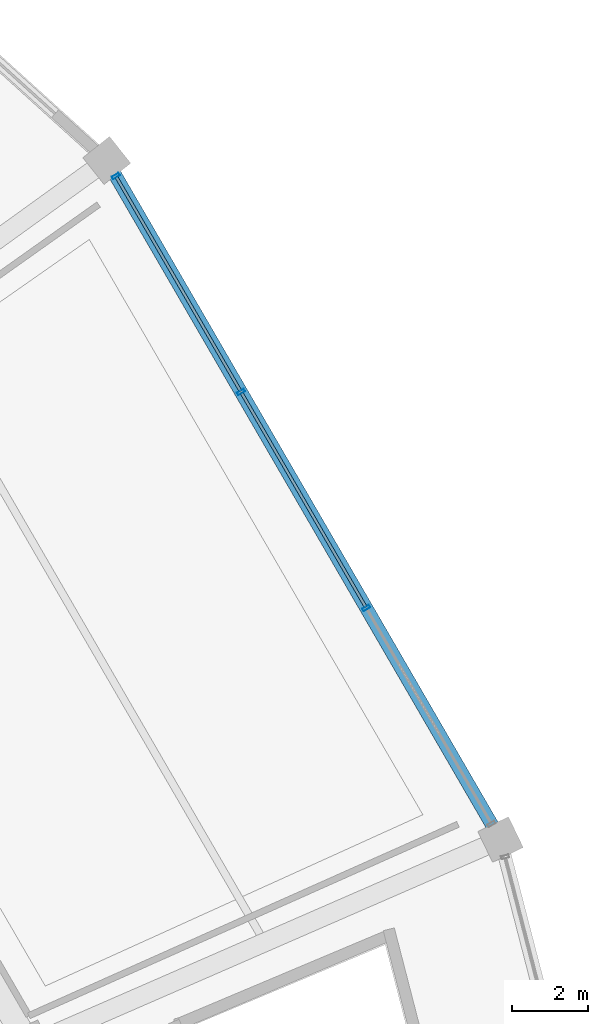
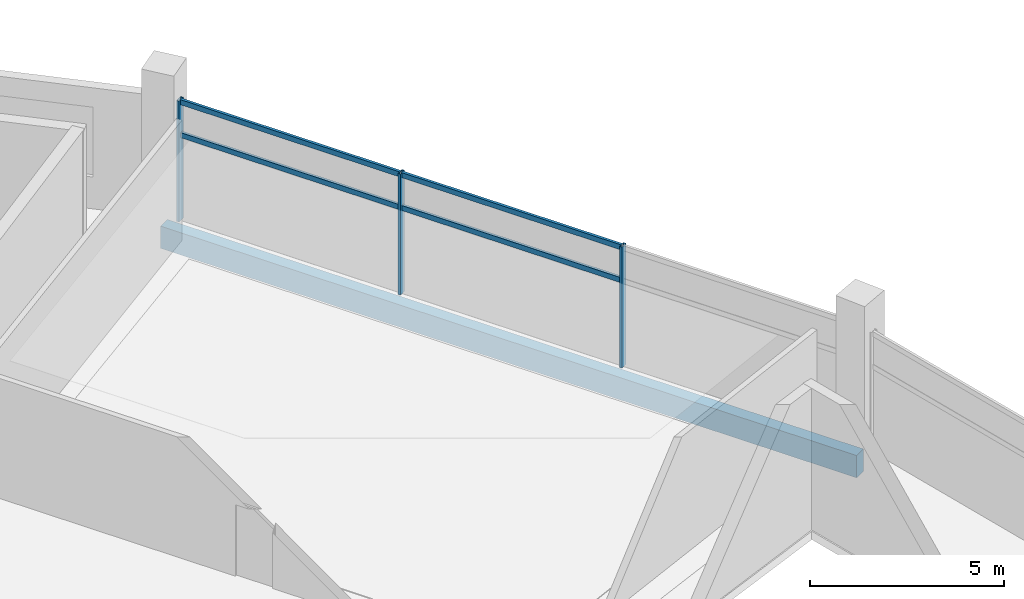
# One storey, part 113 of 171: 7 members, 1 beam, 1 element without a shape of its own.
"""IFC4 building model written with IfcOpenShell, lengths in metres."""

from ifc_helpers import new_model, si_unit, direction, frame, origin, origin_2d, place, context, subcontext, project, spatial, rectangle, hollow_rectangle, extrude, material, layer, layer_set, material_profile, profile_set, type_object, element, aggregate, save


model = new_model("IFC4")

# Units and contexts
model_context = context("Model", 3, precision=1e-05, world=origin(), true_north=direction((0.0, 1.0)))
body_context = subcontext(model_context, "Body", "Model", "MODEL_VIEW")
ifc_project = project(units=[si_unit("LENGTHUNIT", "METRE"), si_unit("AREAUNIT", "SQUARE_METRE"), si_unit("VOLUMEUNIT", "CUBIC_METRE"), si_unit("PLANEANGLEUNIT", "RADIAN"), si_unit("MASSUNIT", "GRAM", prefix="KILO")], contexts=[model_context])

# Site, building, storey
site_placement = place(None, origin())
site = spatial("IfcSite", under=ifc_project, at=site_placement, CompositionType="ELEMENT")
building_placement = place(site_placement, origin())
building = spatial("IfcBuilding", under=site, at=building_placement, Name="Kazemori Nagisa Stadium", CompositionType="ELEMENT")
storey_placement = place(building_placement, frame((0.0, 0.0, 15.639892578125)))
storey = spatial("IfcBuildingStorey", under=building, at=storey_placement, Name="L03", CompositionType="ELEMENT", Elevation=15.639892578125)

# Beam
ifc_material_1 = material(Name="Concrete C40/50 (Fc42)", Category="concrete")
ifc_material_profile_1 = material_profile(ifc_material_1, rectangle(XDim=0.35009765625, YDim=0.699951171875, at=origin_2d()), Name="RC-SP-350x700")
ifc_profile_set_1 = profile_set([ifc_material_profile_1], Name="Concrete C40/50 (Fc42)")
beam_type = type_object("IfcBeamType", Name="Beam_BS-RC350X700", PredefinedType="SPANDREL", material=ifc_profile_set_1)
beam_placement = place(storey_placement, frame((211.885009765625, 140.74951171875, -0.60986328125), z_axis=(-0.50161277459, 0.8650922635, 0.0), x_axis=(-0.8650922635, -0.50161277459, 0.0)))
element("IfcBeam", 1, at=beam_placement, inside=storey, type_object=beam_type, Name="Ring girder BS-RC350X700 L03 R3-03", PredefinedType="SPANDREL", context=body_context, shape_type="SweptSolid", body=[
    extrude(rectangle(XDim=0.35009765625, YDim=0.699951171875, at=origin_2d()), origin(), (0.0, 0.0, 1.0), 20.71240234375),
])

# Curtain wall, members
ifc_material_2 = material(Name="Anodised aluminium 6063-T5", Category="aluminium")
ifc_layer = layer(ifc_material_2, 0.2099609375, Name="Anodised aluminium 6063-T5", Category="aluminium")
ifc_layer_set = layer_set([ifc_layer], Name="Anodised aluminium 6063-T5")
curtain_wall_type = type_object("IfcCurtainWallType", Name="CW_L03R3_99", PredefinedType="USERDEFINED", material=ifc_layer_set)
curtain_wall_placement = place(storey_placement, origin())
curtain_wall = element("IfcCurtainWall", 2, at=curtain_wall_placement, inside=storey, type_object=curtain_wall_type, Name="Unitised curtain wall CW-L03R3-99 L03", ObjectType="UNITISED CURTAIN WALL", PredefinedType="USERDEFINED")
ifc_material_3 = material(Name="Aluminium 6063-T5 anodised", Category="aluminium")
ifc_material_profile_2 = material_profile(ifc_material_3, hollow_rectangle(XDim=0.080078125, YDim=0.2099609375, WallThickness=0.0048828125, at=origin_2d()), Name="ALU-MULL-80x210x5")
ifc_profile_set_2 = profile_set([ifc_material_profile_2], Name="Aluminium 6063-T5 anodised")
member_type_1 = type_object("IfcMemberType", Name="Mullion_M02", PredefinedType="MULLION", material=ifc_profile_set_2)
member_1_placement = place(storey_placement, frame((208.34228515625, 146.859130859375, 0.0), z_axis=(0.0, 0.0, 1.0), x_axis=(-0.501611590054, 0.865092950337, 0.0)))
member_1 = element("IfcMember", 3, at=member_1_placement, type_object=member_type_1, Name="Curtain wall mullion CW-L03R3-99-M2", PredefinedType="MULLION", context=body_context, shape_type="SweptSolid", body=[
    extrude(hollow_rectangle(XDim=0.080078125, YDim=0.2099609375, WallThickness=0.0048828125, at=origin_2d()), origin(), (0.0, 0.0, 1.0), 3.81005859375),
])
member_2_placement = place(storey_placement, frame((205.0380859375, 152.557861328125, 0.0), z_axis=(0.0, 0.0, 1.0), x_axis=(-0.501611590054, 0.865092950337, 0.0)))
member_2 = element("IfcMember", 4, at=member_2_placement, type_object=member_type_1, Name="Curtain wall mullion CW-L03R3-99-M3", PredefinedType="MULLION", context=body_context, shape_type="SweptSolid", body=[
    extrude(hollow_rectangle(XDim=0.080078125, YDim=0.2099609375, WallThickness=0.0048828125, at=origin_2d()), origin(), (0.0, 0.0, 1.0), 3.81005859375),
])
member_3_placement = place(storey_placement, frame((201.733642578125, 158.2568359375, 0.0), z_axis=(0.0, 0.0, 1.0), x_axis=(-0.501611590054, 0.865092950337, 0.0)))
member_3 = element("IfcMember", 5, at=member_3_placement, type_object=member_type_1, Name="Curtain wall mullion CW-L03R3-99-M4", PredefinedType="MULLION", context=body_context, shape_type="SweptSolid", body=[
    extrude(hollow_rectangle(XDim=0.080078125, YDim=0.2099609375, WallThickness=0.0048828125, at=origin_2d()), origin(), (0.0, 0.0, 1.0), 3.81005859375),
])
ifc_material_profile_3 = material_profile(ifc_material_3, hollow_rectangle(XDim=0.080078125, YDim=0.159912109375, WallThickness=0.00390625, at=origin_2d()), Name="ALU-TRAN-80x160x4")
ifc_profile_set_3 = profile_set([ifc_material_profile_3], Name="Aluminium 6063-T5 anodised")
member_type_2 = type_object("IfcMemberType", Name="Transom_T02", PredefinedType="USERDEFINED", material=ifc_profile_set_3)
member_4_placement = place(storey_placement, frame((208.332275390625, 146.87646484375, 2.705322265625), z_axis=(-0.501590295943, 0.865105297069, 0.0), x_axis=(-0.865105297069, -0.501590295943, 0.0)))
member_4 = element("IfcMember", 6, at=member_4_placement, type_object=member_type_2, Name="Curtain wall transom CW-L03R3-99-T2-mid", ObjectType="TRANSOM", PredefinedType="USERDEFINED", context=body_context, shape_type="SweptSolid", body=[
    extrude(hollow_rectangle(XDim=0.080078125, YDim=0.159912109375, WallThickness=0.00390625, at=origin_2d()), origin(), (0.0, 0.0, 1.0), 6.547607421875),
])
member_5_placement = place(storey_placement, frame((208.332275390625, 146.87646484375, 3.739990234375), z_axis=(-0.501590295943, 0.865105297069, 0.0), x_axis=(-0.865105297069, -0.501590295943, 0.0)))
member_5 = element("IfcMember", 7, at=member_5_placement, type_object=member_type_2, Name="Curtain wall transom CW-L03R3-99-T2-head", ObjectType="TRANSOM", PredefinedType="USERDEFINED", context=body_context, shape_type="SweptSolid", body=[
    extrude(hollow_rectangle(XDim=0.080078125, YDim=0.159912109375, WallThickness=0.00390625, at=origin_2d()), origin(), (0.0, 0.0, 1.0), 6.547607421875),
])
member_6_placement = place(storey_placement, frame((205.02783203125, 152.5751953125, 2.705322265625), z_axis=(-0.501590295943, 0.865105297069, 0.0), x_axis=(-0.865105297069, -0.501590295943, 0.0)))
member_6 = element("IfcMember", 8, at=member_6_placement, type_object=member_type_2, Name="Curtain wall transom CW-L03R3-99-T3-mid", ObjectType="TRANSOM", PredefinedType="USERDEFINED", context=body_context, shape_type="SweptSolid", body=[
    extrude(hollow_rectangle(XDim=0.080078125, YDim=0.159912109375, WallThickness=0.00390625, at=origin_2d()), origin(), (0.0, 0.0, 1.0), 6.547607421875),
])
member_7_placement = place(storey_placement, frame((205.02783203125, 152.5751953125, 3.739990234375), z_axis=(-0.501590295943, 0.865105297069, 0.0), x_axis=(-0.865105297069, -0.501590295943, 0.0)))
member_7 = element("IfcMember", 9, at=member_7_placement, type_object=member_type_2, Name="Curtain wall transom CW-L03R3-99-T3-head", ObjectType="TRANSOM", PredefinedType="USERDEFINED", context=body_context, shape_type="SweptSolid", body=[
    extrude(hollow_rectangle(XDim=0.080078125, YDim=0.159912109375, WallThickness=0.00390625, at=origin_2d()), origin(), (0.0, 0.0, 1.0), 6.547607421875),
])
aggregate(curtain_wall, [member_1, member_2, member_3, member_4, member_5, member_6, member_7])

save(model, "model.ifc")
